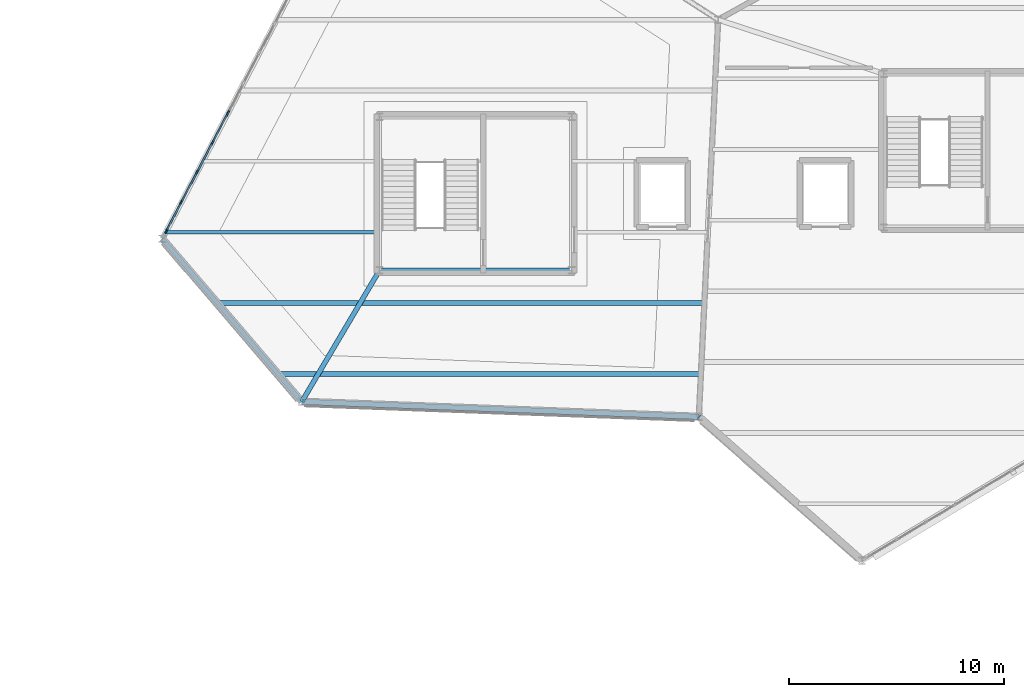
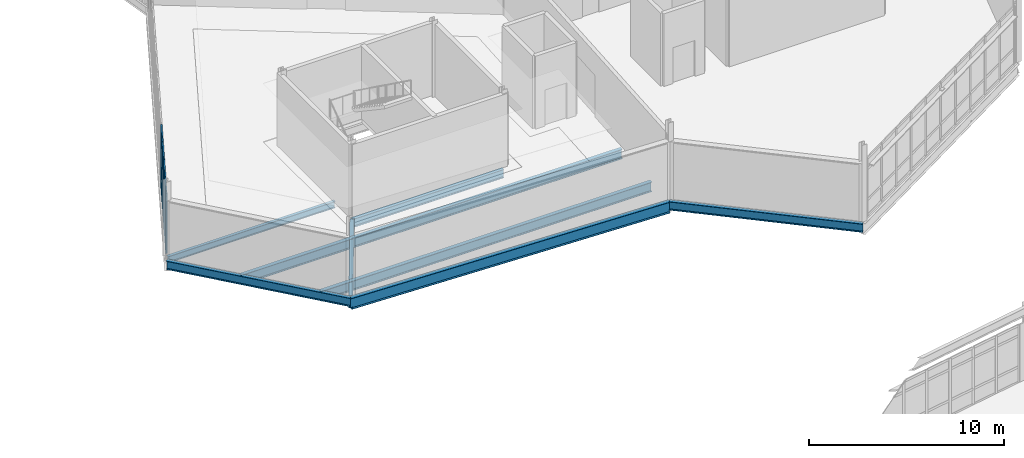
# One storey, part 35 of 76: 21 members, 8 beams, 1 element without a shape of its own.
"""IFC4 building model written with IfcOpenShell, lengths in metres."""

from ifc_helpers import new_model, si_unit, direction, frame, origin, origin_2d, place, context, subcontext, project, spatial, rectangle, i_section, extrude, material, material_profile, profile_set, type_object, element, aggregate, save


model = new_model("IFC4")

# Units and contexts
model_context = context("Model", 3, precision=1e-05, world=origin(), true_north=direction((0.0, 1.0)))
body_context = subcontext(model_context, "Body", "Model", "MODEL_VIEW")
ifc_project = project(units=[si_unit("LENGTHUNIT", "METRE"), si_unit("AREAUNIT", "SQUARE_METRE"), si_unit("VOLUMEUNIT", "CUBIC_METRE"), si_unit("PLANEANGLEUNIT", "RADIAN"), si_unit("MASSUNIT", "GRAM", prefix="KILO")], contexts=[model_context])

# Site, building, storey
site_placement = place(None, origin())
site = spatial("IfcSite", under=ifc_project, at=site_placement, CompositionType="ELEMENT")
building_placement = place(site_placement, origin())
building = spatial("IfcBuilding", under=site, at=building_placement, Name="Tameran Prism Museum", CompositionType="ELEMENT")
storey_placement = place(building_placement, frame((0.0, 0.0, 15.0)))
storey = spatial("IfcBuildingStorey", under=building, at=storey_placement, Name="L03", CompositionType="ELEMENT", Elevation=15.0)

# Beams
ifc_material_1 = material(Name="Steel Grade 300PLUS (300 MPa)", Category="steel")
ifc_material_profile_1 = material_profile(ifc_material_1, i_section(OverallWidth=0.177978515625, OverallDepth=0.403076171875, WebThickness=0.007568359375, FlangeThickness=0.010986328125, FilletRadius=0.011474609375, at=origin_2d()))
ifc_profile_set_1 = profile_set([ifc_material_profile_1])
beam_type_1 = type_object("IfcBeamType", Name="BM-J410B", PredefinedType="JOIST", material=ifc_profile_set_1)
beam_1_placement = place(storey_placement, frame((93.10205078125, 79.199951171875, -0.401611328125), z_axis=(1.0, 0.0, 0.0), x_axis=(0.0, 1.0, 0.0)))
element("IfcBeam", 1, at=beam_1_placement, inside=storey, type_object=beam_type_1, Name="Floor Beam BM-1052", PredefinedType="JOIST", context=body_context, shape_type="SweptSolid", body=[
    extrude(i_section(OverallWidth=0.177978515625, OverallDepth=0.403076171875, WebThickness=0.007568359375, FlangeThickness=0.010986328125, FilletRadius=0.011474609375, at=origin_2d()), origin(), (0.0, 0.0, 1.0), 9.91796875),
])
ifc_material_2 = material(Name="Steel Grade 300PLUS (300 MPa)", Category="steel")
ifc_material_profile_2 = material_profile(ifc_material_2, i_section(OverallWidth=0.208984375, OverallDepth=0.532958984375, WebThickness=0.01025390625, FlangeThickness=0.015625, FilletRadius=0.013916015625, at=origin_2d()))
ifc_profile_set_2 = profile_set([ifc_material_profile_2])
beam_type_2 = type_object("IfcBeamType", Name="BM-SP530A", PredefinedType="SPANDREL", material=ifc_profile_set_2)
beam_2_placement = place(storey_placement, frame((92.89990234375, 78.89990234375, -0.466552734375), z_axis=(0.649974737731, -0.75995581471, 0.0), x_axis=(0.75995581471, 0.649974737731, 0.0)))
element("IfcBeam", 2, at=beam_2_placement, inside=storey, type_object=beam_type_2, Name="Perimeter Spandrel SP-0944", PredefinedType="SPANDREL", context=body_context, shape_type="SweptSolid", body=[
    extrude(i_section(OverallWidth=0.208984375, OverallDepth=0.532958984375, WebThickness=0.01025390625, FlangeThickness=0.015625, FilletRadius=0.013916015625, at=origin_2d()), origin(), (0.0, 0.0, 1.0), 10.00048828125),
])
beam_3_placement = place(storey_placement, frame((117.89990234375, 70.60009765625, -0.466552734375), z_axis=(0.750120474088, -0.661301197908, 0.0), x_axis=(0.661301197908, 0.750120474088, 0.0)))
element("IfcBeam", 3, at=beam_3_placement, inside=storey, type_object=beam_type_2, Name="Perimeter Spandrel SP-0945", PredefinedType="SPANDREL", context=body_context, shape_type="SweptSolid", body=[
    extrude(i_section(OverallWidth=0.208984375, OverallDepth=0.532958984375, WebThickness=0.01025390625, FlangeThickness=0.015625, FilletRadius=0.013916015625, at=origin_2d()), origin(), (0.0, 0.0, 1.0), 10.1318359375),
])
ifc_material_3 = material(Name="Steel Grade 300PLUS (300 MPa)", Category="steel")
ifc_material_profile_3 = material_profile(ifc_material_3, i_section(OverallWidth=0.208984375, OverallDepth=0.528076171875, WebThickness=0.009521484375, FlangeThickness=0.01318359375, FilletRadius=0.013916015625, at=origin_2d()))
ifc_profile_set_3 = profile_set([ifc_material_profile_3])
beam_type_3 = type_object("IfcBeamType", Name="BM-SP530B", PredefinedType="SPANDREL", material=ifc_profile_set_3)
beam_4_placement = place(storey_placement, frame((103.02001953125, 77.419921875, -0.50390625), z_axis=(1.0, 0.0, 0.0), x_axis=(0.0, 1.0, 0.0)))
element("IfcBeam", 4, at=beam_4_placement, inside=storey, type_object=beam_type_3, Name="Core Ring Beam CTB-1014", PredefinedType="SPANDREL", context=body_context, shape_type="SweptSolid", body=[
    extrude(i_section(OverallWidth=0.208984375, OverallDepth=0.528076171875, WebThickness=0.009521484375, FlangeThickness=0.01318359375, FilletRadius=0.013916015625, at=origin_2d()), origin(), (0.0, 0.0, 1.0), 8.9599609375),
])
ifc_material_4 = material(Name="Steel Grade 350 (350 MPa)", Category="steel")
ifc_material_profile_4 = material_profile(ifc_material_4, i_section(OverallWidth=0.25, OverallDepth=0.699951171875, WebThickness=0.010009765625, FlangeThickness=0.02001953125, at=origin_2d()))
ifc_profile_set_4 = profile_set([ifc_material_profile_4])
beam_type_4 = type_object("IfcBeamType", Name="BM-SP700", PredefinedType="SPANDREL", material=ifc_profile_set_4)
beam_5_placement = place(storey_placement, frame((99.39990234375, 71.300048828125, -0.550048828125), z_axis=(0.999285016412, -0.037808146934, 0.0), x_axis=(0.037808146934, 0.999285016412, 0.0)))
element("IfcBeam", 5, at=beam_5_placement, inside=storey, type_object=beam_type_4, Name="Perimeter Spandrel SP-0940", PredefinedType="SPANDREL", context=body_context, shape_type="SweptSolid", body=[
    extrude(i_section(OverallWidth=0.25, OverallDepth=0.699951171875, WebThickness=0.010009765625, FlangeThickness=0.02001953125, at=origin_2d()), origin(), (0.0, 0.0, 1.0), 18.51318359375),
])
ifc_material_5 = material(Name="Steel Grade 300PLUS (300 MPa)", Category="steel")
ifc_material_profile_5 = material_profile(ifc_material_5, i_section(OverallWidth=0.22900390625, OverallDepth=0.612060546875, WebThickness=0.011962890625, FlangeThickness=0.01953125, FilletRadius=0.013916015625, at=origin_2d()))
ifc_profile_set_5 = profile_set([ifc_material_profile_5])
beam_type_5 = type_object("IfcBeamType", Name="BM-UB610A", PredefinedType="BEAM", material=ifc_profile_set_5)
beam_6_placement = place(storey_placement, frame((103.02001953125, 77.419921875, -0.56005859375), z_axis=(-0.50912834972, -0.860690608472, 0.0), x_axis=(0.860690608472, -0.50912834972, 0.0)))
element("IfcBeam", 6, at=beam_6_placement, inside=storey, type_object=beam_type_5, Name="Frame Tie Girder FG-1384", PredefinedType="BEAM", context=body_context, shape_type="SweptSolid", body=[
    extrude(i_section(OverallWidth=0.22900390625, OverallDepth=0.612060546875, WebThickness=0.011962890625, FlangeThickness=0.01953125, FilletRadius=0.013916015625, at=origin_2d()), origin(), (0.0, 0.0, 1.0), 7.1103515625),
])
ifc_material_6 = material(Name="Steel Grade 300PLUS (300 MPa)", Category="steel")
ifc_material_profile_6 = material_profile(ifc_material_6, i_section(OverallWidth=0.22802734375, OverallDepth=0.60693359375, WebThickness=0.01123046875, FlangeThickness=0.017333984375, FilletRadius=0.013916015625, at=origin_2d()))
ifc_profile_set_6 = profile_set([ifc_material_profile_6])
beam_type_6 = type_object("IfcBeamType", Name="BM-UB610B", PredefinedType="BEAM", material=ifc_profile_set_6)
beam_7_placement = place(storey_placement, frame((98.341064453125, 72.60009765625, -0.50341796875), z_axis=(1.0, 0.0, 0.0), x_axis=(0.0, 1.0, 0.0)))
element("IfcBeam", 7, at=beam_7_placement, inside=storey, type_object=beam_type_6, Name="Floor Beam BM-1050", PredefinedType="BEAM", context=body_context, shape_type="SweptSolid", body=[
    extrude(i_section(OverallWidth=0.22802734375, OverallDepth=0.60693359375, WebThickness=0.01123046875, FlangeThickness=0.017333984375, FilletRadius=0.013916015625, at=origin_2d()), origin(), (0.0, 0.0, 1.0), 19.615966796875),
])
beam_8_placement = place(storey_placement, frame((95.51806640625, 75.89990234375, -0.50341796875), z_axis=(1.0, 0.0, 0.0), x_axis=(0.0, 1.0, 0.0)))
element("IfcBeam", 8, at=beam_8_placement, inside=storey, type_object=beam_type_6, Name="Floor Beam BM-1051", PredefinedType="BEAM", context=body_context, shape_type="SweptSolid", body=[
    extrude(i_section(OverallWidth=0.22802734375, OverallDepth=0.60693359375, WebThickness=0.01123046875, FlangeThickness=0.017333984375, FilletRadius=0.013916015625, at=origin_2d()), origin(), (0.0, 0.0, 1.0), 22.599853515625),
])

# Curtain wall, members
ifc_material_7 = material(Name="Anodised Aluminium 6063-T6 and Cyclone Solar Glass", Category="aluminium")
curtain_wall_type = type_object("IfcCurtainWallType", Name="CW-FAC-2192x362", PredefinedType="USERDEFINED", material=ifc_material_7)
curtain_wall_placement = place(storey_placement, origin())
curtain_wall = element("IfcCurtainWall", 9, at=curtain_wall_placement, inside=storey, type_object=curtain_wall_type, Name="Unitised Curtain Wall CW-130", ObjectType="UNITISED CURTAIN WALL", PredefinedType="USERDEFINED")
ifc_material_8 = material(Name="Anodised Aluminium Alloy 6063-T6", Category="aluminium")
ifc_material_profile_7 = material_profile(ifc_material_8, rectangle(XDim=0.080078125, YDim=0.219970703125, at=origin_2d()))
ifc_profile_set_7 = profile_set([ifc_material_profile_7])
member_type_1 = type_object("IfcMemberType", Name="CW-MUL-D", PredefinedType="MULLION", material=ifc_profile_set_7)
member_1_placement = place(storey_placement, frame((93.08056640625, 79.245361328125, 0.0), z_axis=(0.0, 0.0, 1.0), x_axis=(-0.886356952612, 0.463002540551, 0.0)))
member_1 = element("IfcMember", 10, at=member_1_placement, type_object=member_type_1, Name="CW-130 mullion 1", PredefinedType="MULLION", context=body_context, shape_type="SweptSolid", body=[
    extrude(rectangle(XDim=0.080078125, YDim=0.219970703125, at=origin_2d()), origin(), (0.0, 0.0, 1.0), 3.6201171875),
])
member_2_placement = place(storey_placement, frame((93.786865234375, 80.59765625, 0.0), z_axis=(0.0, 0.0, 1.0), x_axis=(-0.886356952612, 0.463002540551, 0.0)))
member_2 = element("IfcMember", 11, at=member_2_placement, type_object=member_type_1, Name="CW-130 mullion 2", PredefinedType="MULLION", context=body_context, shape_type="SweptSolid", body=[
    extrude(rectangle(XDim=0.080078125, YDim=0.219970703125, at=origin_2d()), origin(), (0.0, 0.0, 1.0), 3.6201171875),
])
member_3_placement = place(storey_placement, frame((94.51171875, 81.9853515625, 0.0), z_axis=(0.0, 0.0, 1.0), x_axis=(-0.886356952612, 0.463002540551, 0.0)))
member_3 = element("IfcMember", 12, at=member_3_placement, type_object=member_type_1, Name="CW-130 mullion 3", PredefinedType="MULLION", context=body_context, shape_type="SweptSolid", body=[
    extrude(rectangle(XDim=0.080078125, YDim=0.219970703125, at=origin_2d()), origin(), (0.0, 0.0, 1.0), 3.6201171875),
])
member_4_placement = place(storey_placement, frame((95.236572265625, 83.373046875, 0.0), z_axis=(0.0, 0.0, 1.0), x_axis=(-0.886356952612, 0.463002540551, 0.0)))
member_4 = element("IfcMember", 13, at=member_4_placement, type_object=member_type_1, Name="CW-130 mullion 4", PredefinedType="MULLION", context=body_context, shape_type="SweptSolid", body=[
    extrude(rectangle(XDim=0.080078125, YDim=0.219970703125, at=origin_2d()), origin(), (0.0, 0.0, 1.0), 3.6201171875),
])
member_5_placement = place(storey_placement, frame((95.96142578125, 84.760498046875, 0.0), z_axis=(0.0, 0.0, 1.0), x_axis=(-0.886356952612, 0.463002540551, 0.0)))
member_5 = element("IfcMember", 14, at=member_5_placement, type_object=member_type_1, Name="CW-130 mullion 5", PredefinedType="MULLION", context=body_context, shape_type="SweptSolid", body=[
    extrude(rectangle(XDim=0.080078125, YDim=0.219970703125, at=origin_2d()), origin(), (0.0, 0.0, 1.0), 3.6201171875),
])
ifc_material_9 = material(Name="Anodised Aluminium Alloy 6063-T6", Category="aluminium")
ifc_material_profile_8 = material_profile(ifc_material_9, rectangle(XDim=0.080078125, YDim=0.195068359375, at=origin_2d()))
ifc_profile_set_8 = profile_set([ifc_material_profile_8])
member_type_2 = type_object("IfcMemberType", Name="CW-TRN-D", PredefinedType="USERDEFINED", material=ifc_profile_set_8)
member_6_placement = place(storey_placement, frame((93.09912109375, 79.281005859375, 0.0400390625), z_axis=(0.462952699184, 0.886382986253, 0.0), x_axis=(-0.886382986253, 0.462952699184, 0.0)))
member_6 = element("IfcMember", 15, at=member_6_placement, type_object=member_type_2, Name="CW-130 transom 1.1", ObjectType="TRANSOM", PredefinedType="USERDEFINED", context=body_context, shape_type="SweptSolid", body=[
    extrude(rectangle(XDim=0.080078125, YDim=0.195068359375, at=origin_2d()), origin(), (0.0, 0.0, 1.0), 1.445556640625),
])
member_7_placement = place(storey_placement, frame((93.09912109375, 79.281005859375, 1.0), z_axis=(0.462952699184, 0.886382986253, 0.0), x_axis=(-0.886382986253, 0.462952699184, 0.0)))
member_7 = element("IfcMember", 16, at=member_7_placement, type_object=member_type_2, Name="CW-130 transom 1.2", ObjectType="TRANSOM", PredefinedType="USERDEFINED", context=body_context, shape_type="SweptSolid", body=[
    extrude(rectangle(XDim=0.080078125, YDim=0.195068359375, at=origin_2d()), origin(), (0.0, 0.0, 1.0), 1.445556640625),
])
member_8_placement = place(storey_placement, frame((93.09912109375, 79.281005859375, 2.93994140625), z_axis=(0.462952699184, 0.886382986253, 0.0), x_axis=(-0.886382986253, 0.462952699184, 0.0)))
member_8 = element("IfcMember", 17, at=member_8_placement, type_object=member_type_2, Name="CW-130 transom 1.3", ObjectType="TRANSOM", PredefinedType="USERDEFINED", context=body_context, shape_type="SweptSolid", body=[
    extrude(rectangle(XDim=0.080078125, YDim=0.195068359375, at=origin_2d()), origin(), (0.0, 0.0, 1.0), 1.445556640625),
])
member_9_placement = place(storey_placement, frame((93.09912109375, 79.281005859375, 3.580078125), z_axis=(0.462952699184, 0.886382986253, 0.0), x_axis=(-0.886382986253, 0.462952699184, 0.0)))
member_9 = element("IfcMember", 18, at=member_9_placement, type_object=member_type_2, Name="CW-130 transom 1.4", ObjectType="TRANSOM", PredefinedType="USERDEFINED", context=body_context, shape_type="SweptSolid", body=[
    extrude(rectangle(XDim=0.080078125, YDim=0.195068359375, at=origin_2d()), origin(), (0.0, 0.0, 1.0), 1.445556640625),
])
member_10_placement = place(storey_placement, frame((93.805419921875, 80.633056640625, 0.0400390625), z_axis=(0.46291978158, 0.886400178148, 0.0), x_axis=(-0.886400178148, 0.46291978158, 0.0)))
member_10 = element("IfcMember", 19, at=member_10_placement, type_object=member_type_2, Name="CW-130 transom 2.1", ObjectType="TRANSOM", PredefinedType="USERDEFINED", context=body_context, shape_type="SweptSolid", body=[
    extrude(rectangle(XDim=0.080078125, YDim=0.195068359375, at=origin_2d()), origin(), (0.0, 0.0, 1.0), 1.485595703125),
])
member_11_placement = place(storey_placement, frame((93.805419921875, 80.633056640625, 1.0), z_axis=(0.46291978158, 0.886400178148, 0.0), x_axis=(-0.886400178148, 0.46291978158, 0.0)))
member_11 = element("IfcMember", 20, at=member_11_placement, type_object=member_type_2, Name="CW-130 transom 2.2", ObjectType="TRANSOM", PredefinedType="USERDEFINED", context=body_context, shape_type="SweptSolid", body=[
    extrude(rectangle(XDim=0.080078125, YDim=0.195068359375, at=origin_2d()), origin(), (0.0, 0.0, 1.0), 1.485595703125),
])
member_12_placement = place(storey_placement, frame((93.805419921875, 80.633056640625, 2.93994140625), z_axis=(0.46291978158, 0.886400178148, 0.0), x_axis=(-0.886400178148, 0.46291978158, 0.0)))
member_12 = element("IfcMember", 21, at=member_12_placement, type_object=member_type_2, Name="CW-130 transom 2.3", ObjectType="TRANSOM", PredefinedType="USERDEFINED", context=body_context, shape_type="SweptSolid", body=[
    extrude(rectangle(XDim=0.080078125, YDim=0.195068359375, at=origin_2d()), origin(), (0.0, 0.0, 1.0), 1.485595703125),
])
member_13_placement = place(storey_placement, frame((93.805419921875, 80.633056640625, 3.580078125), z_axis=(0.46291978158, 0.886400178148, 0.0), x_axis=(-0.886400178148, 0.46291978158, 0.0)))
member_13 = element("IfcMember", 22, at=member_13_placement, type_object=member_type_2, Name="CW-130 transom 2.4", ObjectType="TRANSOM", PredefinedType="USERDEFINED", context=body_context, shape_type="SweptSolid", body=[
    extrude(rectangle(XDim=0.080078125, YDim=0.195068359375, at=origin_2d()), origin(), (0.0, 0.0, 1.0), 1.485595703125),
])
member_14_placement = place(storey_placement, frame((94.5302734375, 82.020751953125, 0.0400390625), z_axis=(0.462987220267, 0.886364955236, 0.0), x_axis=(-0.886364955236, 0.462987220267, 0.0)))
member_14 = element("IfcMember", 23, at=member_14_placement, type_object=member_type_2, Name="CW-130 transom 3.1", ObjectType="TRANSOM", PredefinedType="USERDEFINED", context=body_context, shape_type="SweptSolid", body=[
    extrude(rectangle(XDim=0.080078125, YDim=0.195068359375, at=origin_2d()), origin(), (0.0, 0.0, 1.0), 1.4853515625),
])
member_15_placement = place(storey_placement, frame((94.5302734375, 82.020751953125, 1.0), z_axis=(0.462987220267, 0.886364955236, 0.0), x_axis=(-0.886364955236, 0.462987220267, 0.0)))
member_15 = element("IfcMember", 24, at=member_15_placement, type_object=member_type_2, Name="CW-130 transom 3.2", ObjectType="TRANSOM", PredefinedType="USERDEFINED", context=body_context, shape_type="SweptSolid", body=[
    extrude(rectangle(XDim=0.080078125, YDim=0.195068359375, at=origin_2d()), origin(), (0.0, 0.0, 1.0), 1.4853515625),
])
member_16_placement = place(storey_placement, frame((94.5302734375, 82.020751953125, 2.93994140625), z_axis=(0.462987220267, 0.886364955236, 0.0), x_axis=(-0.886364955236, 0.462987220267, 0.0)))
member_16 = element("IfcMember", 25, at=member_16_placement, type_object=member_type_2, Name="CW-130 transom 3.3", ObjectType="TRANSOM", PredefinedType="USERDEFINED", context=body_context, shape_type="SweptSolid", body=[
    extrude(rectangle(XDim=0.080078125, YDim=0.195068359375, at=origin_2d()), origin(), (0.0, 0.0, 1.0), 1.4853515625),
])
member_17_placement = place(storey_placement, frame((94.5302734375, 82.020751953125, 3.580078125), z_axis=(0.462987220267, 0.886364955236, 0.0), x_axis=(-0.886364955236, 0.462987220267, 0.0)))
member_17 = element("IfcMember", 26, at=member_17_placement, type_object=member_type_2, Name="CW-130 transom 3.4", ObjectType="TRANSOM", PredefinedType="USERDEFINED", context=body_context, shape_type="SweptSolid", body=[
    extrude(rectangle(XDim=0.080078125, YDim=0.195068359375, at=origin_2d()), origin(), (0.0, 0.0, 1.0), 1.4853515625),
])
member_18_placement = place(storey_placement, frame((95.255126953125, 83.408447265625, 0.0400390625), z_axis=(0.462987220267, 0.886364955236, 0.0), x_axis=(-0.886364955236, 0.462987220267, 0.0)))
member_18 = element("IfcMember", 27, at=member_18_placement, type_object=member_type_2, Name="CW-130 transom 4.1", ObjectType="TRANSOM", PredefinedType="USERDEFINED", context=body_context, shape_type="SweptSolid", body=[
    extrude(rectangle(XDim=0.080078125, YDim=0.195068359375, at=origin_2d()), origin(), (0.0, 0.0, 1.0), 1.4853515625),
])
member_19_placement = place(storey_placement, frame((95.255126953125, 83.408447265625, 1.0), z_axis=(0.462987220267, 0.886364955236, 0.0), x_axis=(-0.886364955236, 0.462987220267, 0.0)))
member_19 = element("IfcMember", 28, at=member_19_placement, type_object=member_type_2, Name="CW-130 transom 4.2", ObjectType="TRANSOM", PredefinedType="USERDEFINED", context=body_context, shape_type="SweptSolid", body=[
    extrude(rectangle(XDim=0.080078125, YDim=0.195068359375, at=origin_2d()), origin(), (0.0, 0.0, 1.0), 1.4853515625),
])
member_20_placement = place(storey_placement, frame((95.255126953125, 83.408447265625, 2.93994140625), z_axis=(0.462987220267, 0.886364955236, 0.0), x_axis=(-0.886364955236, 0.462987220267, 0.0)))
member_20 = element("IfcMember", 29, at=member_20_placement, type_object=member_type_2, Name="CW-130 transom 4.3", ObjectType="TRANSOM", PredefinedType="USERDEFINED", context=body_context, shape_type="SweptSolid", body=[
    extrude(rectangle(XDim=0.080078125, YDim=0.195068359375, at=origin_2d()), origin(), (0.0, 0.0, 1.0), 1.4853515625),
])
member_21_placement = place(storey_placement, frame((95.255126953125, 83.408447265625, 3.580078125), z_axis=(0.462987220267, 0.886364955236, 0.0), x_axis=(-0.886364955236, 0.462987220267, 0.0)))
member_21 = element("IfcMember", 30, at=member_21_placement, type_object=member_type_2, Name="CW-130 transom 4.4", ObjectType="TRANSOM", PredefinedType="USERDEFINED", context=body_context, shape_type="SweptSolid", body=[
    extrude(rectangle(XDim=0.080078125, YDim=0.195068359375, at=origin_2d()), origin(), (0.0, 0.0, 1.0), 1.4853515625),
])
aggregate(curtain_wall, [member_1, member_2, member_3, member_4, member_5, member_6, member_7, member_8, member_9, member_10, member_11, member_12, member_13, member_14, member_15, member_16, member_17, member_18, member_19, member_20, member_21])

save(model, "model.ifc")
